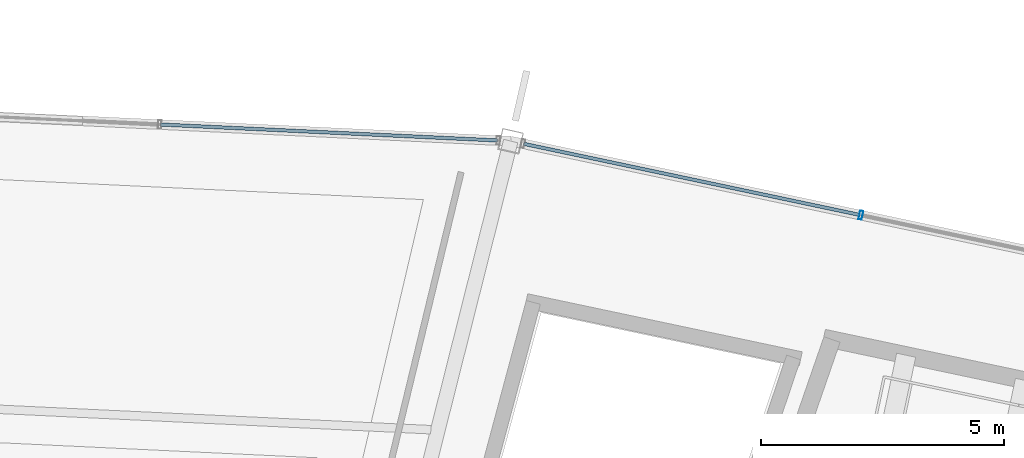
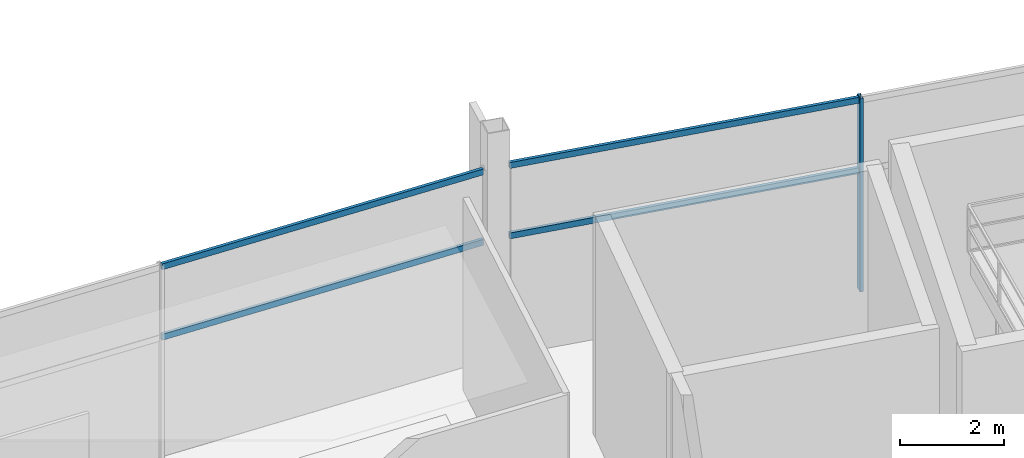
# One storey, part 106 of 186: 5 members, 2 elements without a shape of their own.
"""IFC4 building model written with IfcOpenShell, lengths in metres."""

from ifc_helpers import new_model, si_unit, direction, frame, origin, origin_2d, place, context, subcontext, project, spatial, hollow_rectangle, extrude, material, layer, layer_set, material_profile, profile_set, type_object, element, aggregate, save


model = new_model("IFC4")

# Units and contexts
model_context = context("Model", 3, precision=1e-05, world=origin(), true_north=direction((0.0, 1.0)))
body_context = subcontext(model_context, "Body", "Model", "MODEL_VIEW")
ifc_project = project(units=[si_unit("LENGTHUNIT", "METRE"), si_unit("AREAUNIT", "SQUARE_METRE"), si_unit("VOLUMEUNIT", "CUBIC_METRE"), si_unit("PLANEANGLEUNIT", "RADIAN"), si_unit("MASSUNIT", "GRAM", prefix="KILO")], contexts=[model_context])

# Site, building, storey
site_placement = place(None, origin())
site = spatial("IfcSite", under=ifc_project, at=site_placement, CompositionType="ELEMENT")
building_placement = place(site_placement, origin())
building = spatial("IfcBuilding", under=site, at=building_placement, Name="Kazemori Nagisa Stadium", CompositionType="ELEMENT")
storey_placement = place(building_placement, frame((0.0, 0.0, 20.39990234375)))
storey = spatial("IfcBuildingStorey", under=building, at=storey_placement, Name="L04", CompositionType="ELEMENT", Elevation=20.39990234375)

# Curtain wall, members
ifc_material_1 = material(Name="Anodised aluminium 6063-T5", Category="aluminium")
ifc_layer_1 = layer(ifc_material_1, 0.179931640625, Name="Anodised aluminium 6063-T5", Category="aluminium")
ifc_layer_set_1 = layer_set([ifc_layer_1], Name="Anodised aluminium 6063-T5")
curtain_wall_type_1 = type_object("IfcCurtainWallType", Name="CW_L04R3_107", PredefinedType="USERDEFINED", material=ifc_layer_set_1)
curtain_wall_1_placement = place(storey_placement, origin())
curtain_wall_1 = element("IfcCurtainWall", 1, at=curtain_wall_1_placement, inside=storey, type_object=curtain_wall_type_1, Name="Unitised curtain wall CW-L04R3-107 L04", ObjectType="UNITISED CURTAIN WALL", PredefinedType="USERDEFINED")
ifc_material_2 = material(Name="Aluminium 6063-T5 anodised", Category="aluminium")
ifc_material_profile_1 = material_profile(ifc_material_2, hollow_rectangle(XDim=0.070068359375, YDim=0.179931640625, WallThickness=0.00390625, at=origin_2d()), Name="ALU-MULL-70x180x4")
ifc_profile_set_1 = profile_set([ifc_material_profile_1], Name="Aluminium 6063-T5 anodised")
member_type_1 = type_object("IfcMemberType", Name="Mullion_M01", PredefinedType="MULLION", material=ifc_profile_set_1)
member_1_placement = place(storey_placement, frame((151.636474609375, 185.461669921875, 0.0), z_axis=(0.0, 0.0, 1.0), x_axis=(-0.978344955407, 0.206981033502, 0.0)))
member_1 = element("IfcMember", 2, at=member_1_placement, type_object=member_type_1, Name="Curtain wall mullion CW-L04R3-107-M3", PredefinedType="MULLION", context=body_context, shape_type="SweptSolid", body=[
    extrude(hollow_rectangle(XDim=0.070068359375, YDim=0.179931640625, WallThickness=0.00390625, at=origin_2d()), origin(), (0.0, 0.0, 1.0), 4.530029296875),
])
ifc_material_profile_2 = material_profile(ifc_material_2, hollow_rectangle(XDim=0.070068359375, YDim=0.139892578125, WallThickness=0.00390625, at=origin_2d()), Name="ALU-TRAN-70x140x4")
ifc_profile_set_2 = profile_set([ifc_material_profile_2], Name="Aluminium 6063-T5 anodised")
member_type_2 = type_object("IfcMemberType", Name="Transom_T01", PredefinedType="USERDEFINED", material=ifc_profile_set_2)
member_2_placement = place(storey_placement, frame((151.616943359375, 185.4658203125, 2.80859375), z_axis=(-0.97834311718, 0.206989722128, 0.0), x_axis=(-0.206989722128, -0.97834311718, 0.0)))
member_2 = element("IfcMember", 3, at=member_2_placement, type_object=member_type_2, Name="Curtain wall transom CW-L04R3-107-T3-mid", ObjectType="TRANSOM", PredefinedType="USERDEFINED", context=body_context, shape_type="SweptSolid", body=[
    extrude(hollow_rectangle(XDim=0.070068359375, YDim=0.139892578125, WallThickness=0.00390625, at=origin_2d()), origin(), (0.0, 0.0, 1.0), 7.0732421875),
])
member_3_placement = place(storey_placement, frame((151.616943359375, 185.4658203125, 4.460205078125), z_axis=(-0.97834311718, 0.206989722128, 0.0), x_axis=(-0.206989722128, -0.97834311718, 0.0)))
member_3 = element("IfcMember", 4, at=member_3_placement, type_object=member_type_2, Name="Curtain wall transom CW-L04R3-107-T3-head", ObjectType="TRANSOM", PredefinedType="USERDEFINED", context=body_context, shape_type="SweptSolid", body=[
    extrude(hollow_rectangle(XDim=0.070068359375, YDim=0.139892578125, WallThickness=0.00390625, at=origin_2d()), origin(), (0.0, 0.0, 1.0), 7.0732421875),
])
aggregate(curtain_wall_1, [member_1, member_2, member_3])

ifc_layer_2 = layer(ifc_material_1, 0.179931640625, Name="Anodised aluminium 6063-T5", Category="aluminium")
ifc_layer_set_2 = layer_set([ifc_layer_2], Name="Anodised aluminium 6063-T5")
curtain_wall_type_2 = type_object("IfcCurtainWallType", Name="CW_L04R3_105", PredefinedType="USERDEFINED", material=ifc_layer_set_2)
curtain_wall_2_placement = place(storey_placement, origin())
curtain_wall_2 = element("IfcCurtainWall", 5, at=curtain_wall_2_placement, inside=storey, type_object=curtain_wall_type_2, Name="Unitised curtain wall CW-L04R3-105 L04", ObjectType="UNITISED CURTAIN WALL", PredefinedType="USERDEFINED")
member_4_placement = place(storey_placement, frame((144.153076171875, 186.999755859375, 2.80859375), z_axis=(-0.998883524201, 0.047240925908, 0.0), x_axis=(-0.047240925908, -0.998883524201, 0.0)))
member_4 = element("IfcMember", 6, at=member_4_placement, type_object=member_type_2, Name="Curtain wall transom CW-L04R3-105-T1-mid", ObjectType="TRANSOM", PredefinedType="USERDEFINED", context=body_context, shape_type="SweptSolid", body=[
    extrude(hollow_rectangle(XDim=0.070068359375, YDim=0.139892578125, WallThickness=0.00390625, at=origin_2d()), origin(), (0.0, 0.0, 1.0), 6.940673828125),
])
member_5_placement = place(storey_placement, frame((144.153076171875, 186.999755859375, 4.460205078125), z_axis=(-0.998883524201, 0.047240925908, 0.0), x_axis=(-0.047240925908, -0.998883524201, 0.0)))
member_5 = element("IfcMember", 7, at=member_5_placement, type_object=member_type_2, Name="Curtain wall transom CW-L04R3-105-T1-head", ObjectType="TRANSOM", PredefinedType="USERDEFINED", context=body_context, shape_type="SweptSolid", body=[
    extrude(hollow_rectangle(XDim=0.070068359375, YDim=0.139892578125, WallThickness=0.00390625, at=origin_2d()), origin(), (0.0, 0.0, 1.0), 6.940673828125),
])
aggregate(curtain_wall_2, [member_4, member_5])

save(model, "model.ifc")
